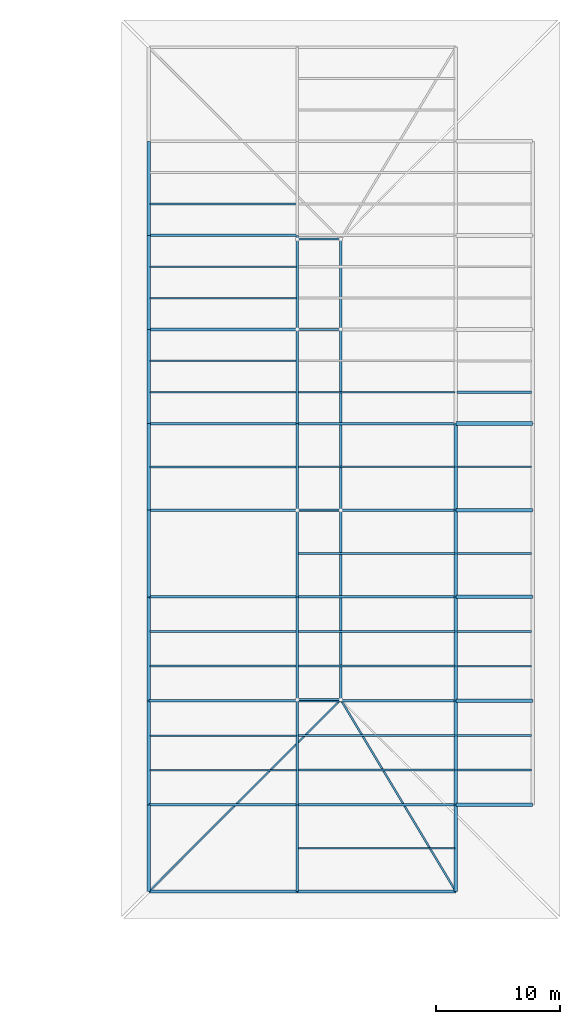
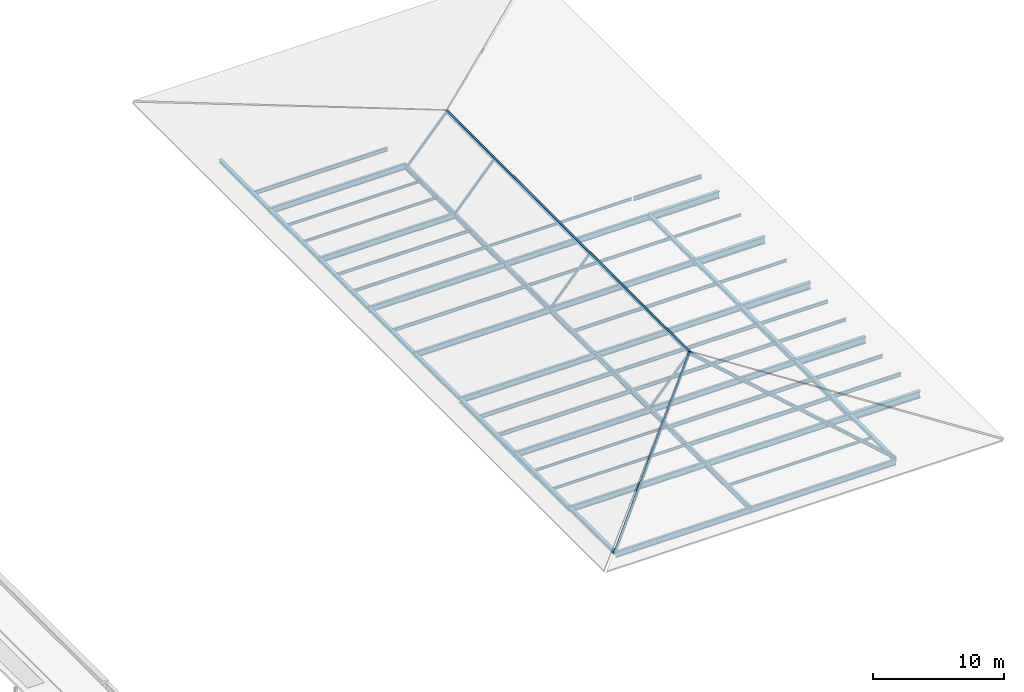
# One storey, part 10 of 14: 64 beams, 7 members.
"""IFC4 building model written with IfcOpenShell, lengths in metres."""

from ifc_helpers import new_model, si_unit, direction, frame, origin, origin_2d, place, context, subcontext, project, spatial, hollow_rectangle, i_section, extrude, material, material_profile, profile_set, type_object, element, save


model = new_model("IFC4")

# Units and contexts
model_context = context("Model", 3, precision=1e-05, world=origin(), true_north=direction((0.0, 1.0)))
body_context = subcontext(model_context, "Body", "Model", "MODEL_VIEW")
ifc_project = project(units=[si_unit("LENGTHUNIT", "METRE"), si_unit("AREAUNIT", "SQUARE_METRE"), si_unit("VOLUMEUNIT", "CUBIC_METRE"), si_unit("PLANEANGLEUNIT", "RADIAN"), si_unit("MASSUNIT", "GRAM", prefix="KILO")], contexts=[model_context])

# Site, building, storey
site_placement = place(None, origin())
site = spatial("IfcSite", under=ifc_project, at=site_placement, CompositionType="ELEMENT")
building_placement = place(site_placement, origin())
building = spatial("IfcBuilding", under=site, at=building_placement, Name="Vekula Escarpment Museum", CompositionType="ELEMENT")
storey_placement = place(building_placement, frame((0.0, 0.0, 30.60009765625)))
storey = spatial("IfcBuildingStorey", under=building, at=storey_placement, Name="RF", CompositionType="ELEMENT", Elevation=30.60009765625)

# Beams
ifc_material_1 = material(Name="Steel S355", Category="steel")
ifc_material_profile_1 = material_profile(ifc_material_1, i_section(OverallWidth=0.300048828125, OverallDepth=0.64990234375, WebThickness=0.01611328125, FlangeThickness=0.031005859375, FilletRadius=0.027099609375, at=origin_2d()), Name="HEB 650")
ifc_profile_set_1 = profile_set([ifc_material_profile_1], Name="Steel S355")
beam_type_1 = type_object("IfcBeamType", Name="BM-GIRD-HEB650", PredefinedType="BEAM", material=ifc_profile_set_1)
for number, where, z_axis, x_axis, name in (
    (1, (191.800048828125, 59.60009765625, -0.525146484375), (1.0, 0.0, 0.0), (0.0, 1.0, 0.0), "Beam X RF 2305"),
    (2, (191.800048828125, 68.0, -0.525146484375), (1.0, 0.0, 0.0), (0.0, 1.0, 0.0), "Beam X RF 2308"),
    (3, (191.800048828125, 76.39990234375, -0.525146484375), (1.0, 0.0, 0.0), (0.0, 1.0, 0.0), "Beam X RF 2311"),
    (4, (191.800048828125, 83.39990234375, -0.525146484375), (1.0, 0.0, 0.0), (0.0, 1.0, 0.0), "Beam X RF 2314"),
    (5, (191.800048828125, 90.39990234375, -0.525146484375), (1.0, 0.0, 0.0), (0.0, 1.0, 0.0), "Beam X RF 2317"),
):
    element("IfcBeam", number, at=place(storey_placement, frame(where, z_axis=z_axis, x_axis=x_axis)), inside=storey, type_object=beam_type_1, Name=name, PredefinedType="BEAM", context=body_context, shape_type="SweptSolid", body=[
        extrude(i_section(OverallWidth=0.300048828125, OverallDepth=0.64990234375, WebThickness=0.01611328125, FlangeThickness=0.031005859375, FilletRadius=0.027099609375, at=origin_2d()), origin(), (0.0, 0.0, 1.0), 6.199951171875),
    ])
ifc_material_2 = material(Name="Steel S355", Category="steel")
ifc_material_profile_2 = material_profile(ifc_material_2, i_section(OverallWidth=0.199951171875, OverallDepth=0.5, WebThickness=0.01025390625, FlangeThickness=0.01611328125, FilletRadius=0.02099609375, at=origin_2d()), Name="IPE 500")
ifc_profile_set_2 = profile_set([ifc_material_profile_2], Name="Steel S355")
beam_type_2 = type_object("IfcBeamType", Name="BM-GIRD-IPE500", PredefinedType="BEAM", material=ifc_profile_set_2)
beam_1_placement = place(storey_placement, frame((179.0, 52.60009765625, -0.4501953125), z_axis=(0.0, 1.0, 0.0), x_axis=(-1.0, 0.0, 0.0)))
element("IfcBeam", 6, at=beam_1_placement, inside=storey, type_object=beam_type_2, Name="Beam Y RF 2338", PredefinedType="BEAM", context=body_context, shape_type="SweptSolid", body=[
    extrude(i_section(OverallWidth=0.199951171875, OverallDepth=0.5, WebThickness=0.01025390625, FlangeThickness=0.01611328125, FilletRadius=0.02099609375, at=origin_2d()), origin(), (0.0, 0.0, 1.0), 7.0),
])
for number, where, z_axis, x_axis, name in (
    (7, (179.0, 59.60009765625, -0.4501953125), (0.0, 1.0, 0.0), (-1.0, 0.0, 0.0), "Beam Y RF 2339"),
    (8, (179.0, 68.0, -0.4501953125), (0.0, 1.0, 0.0), (-1.0, 0.0, 0.0), "Beam Y RF 2340"),
):
    element("IfcBeam", number, at=place(storey_placement, frame(where, z_axis=z_axis, x_axis=x_axis)), inside=storey, type_object=beam_type_2, Name=name, PredefinedType="BEAM", context=body_context, shape_type="SweptSolid", body=[
        extrude(i_section(OverallWidth=0.199951171875, OverallDepth=0.5, WebThickness=0.01025390625, FlangeThickness=0.01611328125, FilletRadius=0.02099609375, at=origin_2d()), origin(), (0.0, 0.0, 1.0), 8.39990234375),
    ])
for number, where, z_axis, x_axis, name in (
    (9, (179.0, 76.39990234375, -0.4501953125), (0.0, 1.0, 0.0), (-1.0, 0.0, 0.0), "Beam Y RF 2341"),
    (10, (179.0, 83.39990234375, -0.4501953125), (0.0, 1.0, 0.0), (-1.0, 0.0, 0.0), "Beam Y RF 2342"),
):
    element("IfcBeam", number, at=place(storey_placement, frame(where, z_axis=z_axis, x_axis=x_axis)), inside=storey, type_object=beam_type_2, Name=name, PredefinedType="BEAM", context=body_context, shape_type="SweptSolid", body=[
        extrude(i_section(OverallWidth=0.199951171875, OverallDepth=0.5, WebThickness=0.01025390625, FlangeThickness=0.01611328125, FilletRadius=0.02099609375, at=origin_2d()), origin(), (0.0, 0.0, 1.0), 7.0),
    ])
for number, where, z_axis, x_axis, name in (
    (11, (179.0, 90.39990234375, -0.4501953125), (0.0, 1.0, 0.0), (-1.0, 0.0, 0.0), "Beam Y RF 2343"),
    (12, (179.0, 98.0, -0.4501953125), (0.0, 1.0, 0.0), (-1.0, 0.0, 0.0), "Beam Y RF 2344"),
):
    element("IfcBeam", number, at=place(storey_placement, frame(where, z_axis=z_axis, x_axis=x_axis)), inside=storey, type_object=beam_type_2, Name=name, PredefinedType="BEAM", context=body_context, shape_type="SweptSolid", body=[
        extrude(i_section(OverallWidth=0.199951171875, OverallDepth=0.5, WebThickness=0.01025390625, FlangeThickness=0.01611328125, FilletRadius=0.02099609375, at=origin_2d()), origin(), (0.0, 0.0, 1.0), 7.60009765625),
    ])
ifc_material_3 = material(Name="Steel S355", Category="steel")
ifc_material_profile_3 = material_profile(ifc_material_3, i_section(OverallWidth=0.2099609375, OverallDepth=0.550048828125, WebThickness=0.010986328125, FlangeThickness=0.01708984375, FilletRadius=0.02392578125, at=origin_2d()), Name="IPE 550")
ifc_profile_set_3 = profile_set([ifc_material_profile_3], Name="Steel S355")
beam_type_3 = type_object("IfcBeamType", Name="BM-GIRD-IPE550", PredefinedType="BEAM", material=ifc_profile_set_3)
beam_2_placement = place(storey_placement, frame((167.0, 52.60009765625, -0.47509765625), z_axis=(1.0, 0.0, 0.0), x_axis=(0.0, 1.0, 0.0)))
element("IfcBeam", 13, at=beam_2_placement, inside=storey, type_object=beam_type_3, Name="Beam X RF 2301", PredefinedType="BEAM", context=body_context, shape_type="SweptSolid", body=[
    extrude(i_section(OverallWidth=0.2099609375, OverallDepth=0.550048828125, WebThickness=0.010986328125, FlangeThickness=0.01708984375, FilletRadius=0.02392578125, at=origin_2d()), origin(), (0.0, 0.0, 1.0), 12.0),
])
beam_3_placement = place(storey_placement, frame((179.0, 52.60009765625, -0.47509765625), z_axis=(1.0, 0.0, 0.0), x_axis=(0.0, 1.0, 0.0)))
element("IfcBeam", 14, at=beam_3_placement, inside=storey, type_object=beam_type_3, Name="Beam X RF 2302", PredefinedType="BEAM", context=body_context, shape_type="SweptSolid", body=[
    extrude(i_section(OverallWidth=0.2099609375, OverallDepth=0.550048828125, WebThickness=0.010986328125, FlangeThickness=0.01708984375, FilletRadius=0.02392578125, at=origin_2d()), origin(), (0.0, 0.0, 1.0), 12.800048828125),
])
beam_4_placement = place(storey_placement, frame((167.0, 59.60009765625, -0.47509765625), z_axis=(1.0, 0.0, 0.0), x_axis=(0.0, 1.0, 0.0)))
element("IfcBeam", 15, at=beam_4_placement, inside=storey, type_object=beam_type_3, Name="Beam X RF 2303", PredefinedType="BEAM", context=body_context, shape_type="SweptSolid", body=[
    extrude(i_section(OverallWidth=0.2099609375, OverallDepth=0.550048828125, WebThickness=0.010986328125, FlangeThickness=0.01708984375, FilletRadius=0.02392578125, at=origin_2d()), origin(), (0.0, 0.0, 1.0), 12.0),
])
beam_5_placement = place(storey_placement, frame((179.0, 59.60009765625, -0.47509765625), z_axis=(1.0, 0.0, 0.0), x_axis=(0.0, 1.0, 0.0)))
element("IfcBeam", 16, at=beam_5_placement, inside=storey, type_object=beam_type_3, Name="Beam X RF 2304", PredefinedType="BEAM", context=body_context, shape_type="SweptSolid", body=[
    extrude(i_section(OverallWidth=0.2099609375, OverallDepth=0.550048828125, WebThickness=0.010986328125, FlangeThickness=0.01708984375, FilletRadius=0.02392578125, at=origin_2d()), origin(), (0.0, 0.0, 1.0), 12.800048828125),
])
beam_6_placement = place(storey_placement, frame((167.0, 68.0, -0.47509765625), z_axis=(1.0, 0.0, 0.0), x_axis=(0.0, 1.0, 0.0)))
element("IfcBeam", 17, at=beam_6_placement, inside=storey, type_object=beam_type_3, Name="Beam X RF 2306", PredefinedType="BEAM", context=body_context, shape_type="SweptSolid", body=[
    extrude(i_section(OverallWidth=0.2099609375, OverallDepth=0.550048828125, WebThickness=0.010986328125, FlangeThickness=0.01708984375, FilletRadius=0.02392578125, at=origin_2d()), origin(), (0.0, 0.0, 1.0), 12.0),
])
beam_7_placement = place(storey_placement, frame((179.0, 68.0, -0.47509765625), z_axis=(1.0, 0.0, 0.0), x_axis=(0.0, 1.0, 0.0)))
element("IfcBeam", 18, at=beam_7_placement, inside=storey, type_object=beam_type_3, Name="Beam X RF 2307", PredefinedType="BEAM", context=body_context, shape_type="SweptSolid", body=[
    extrude(i_section(OverallWidth=0.2099609375, OverallDepth=0.550048828125, WebThickness=0.010986328125, FlangeThickness=0.01708984375, FilletRadius=0.02392578125, at=origin_2d()), origin(), (0.0, 0.0, 1.0), 12.800048828125),
])
beam_8_placement = place(storey_placement, frame((167.0, 76.39990234375, -0.47509765625), z_axis=(1.0, 0.0, 0.0), x_axis=(0.0, 1.0, 0.0)))
element("IfcBeam", 19, at=beam_8_placement, inside=storey, type_object=beam_type_3, Name="Beam X RF 2309", PredefinedType="BEAM", context=body_context, shape_type="SweptSolid", body=[
    extrude(i_section(OverallWidth=0.2099609375, OverallDepth=0.550048828125, WebThickness=0.010986328125, FlangeThickness=0.01708984375, FilletRadius=0.02392578125, at=origin_2d()), origin(), (0.0, 0.0, 1.0), 12.0),
])
beam_9_placement = place(storey_placement, frame((179.0, 76.39990234375, -0.47509765625), z_axis=(1.0, 0.0, 0.0), x_axis=(0.0, 1.0, 0.0)))
element("IfcBeam", 20, at=beam_9_placement, inside=storey, type_object=beam_type_3, Name="Beam X RF 2310", PredefinedType="BEAM", context=body_context, shape_type="SweptSolid", body=[
    extrude(i_section(OverallWidth=0.2099609375, OverallDepth=0.550048828125, WebThickness=0.010986328125, FlangeThickness=0.01708984375, FilletRadius=0.02392578125, at=origin_2d()), origin(), (0.0, 0.0, 1.0), 12.800048828125),
])
beam_10_placement = place(storey_placement, frame((167.0, 83.39990234375, -0.47509765625), z_axis=(1.0, 0.0, 0.0), x_axis=(0.0, 1.0, 0.0)))
element("IfcBeam", 21, at=beam_10_placement, inside=storey, type_object=beam_type_3, Name="Beam X RF 2312", PredefinedType="BEAM", context=body_context, shape_type="SweptSolid", body=[
    extrude(i_section(OverallWidth=0.2099609375, OverallDepth=0.550048828125, WebThickness=0.010986328125, FlangeThickness=0.01708984375, FilletRadius=0.02392578125, at=origin_2d()), origin(), (0.0, 0.0, 1.0), 12.0),
])
beam_11_placement = place(storey_placement, frame((179.0, 83.39990234375, -0.47509765625), z_axis=(1.0, 0.0, 0.0), x_axis=(0.0, 1.0, 0.0)))
element("IfcBeam", 22, at=beam_11_placement, inside=storey, type_object=beam_type_3, Name="Beam X RF 2313", PredefinedType="BEAM", context=body_context, shape_type="SweptSolid", body=[
    extrude(i_section(OverallWidth=0.2099609375, OverallDepth=0.550048828125, WebThickness=0.010986328125, FlangeThickness=0.01708984375, FilletRadius=0.02392578125, at=origin_2d()), origin(), (0.0, 0.0, 1.0), 12.800048828125),
])
beam_12_placement = place(storey_placement, frame((167.0, 90.39990234375, -0.47509765625), z_axis=(1.0, 0.0, 0.0), x_axis=(0.0, 1.0, 0.0)))
element("IfcBeam", 23, at=beam_12_placement, inside=storey, type_object=beam_type_3, Name="Beam X RF 2315", PredefinedType="BEAM", context=body_context, shape_type="SweptSolid", body=[
    extrude(i_section(OverallWidth=0.2099609375, OverallDepth=0.550048828125, WebThickness=0.010986328125, FlangeThickness=0.01708984375, FilletRadius=0.02392578125, at=origin_2d()), origin(), (0.0, 0.0, 1.0), 12.0),
])
beam_13_placement = place(storey_placement, frame((179.0, 90.39990234375, -0.47509765625), z_axis=(1.0, 0.0, 0.0), x_axis=(0.0, 1.0, 0.0)))
element("IfcBeam", 24, at=beam_13_placement, inside=storey, type_object=beam_type_3, Name="Beam X RF 2316", PredefinedType="BEAM", context=body_context, shape_type="SweptSolid", body=[
    extrude(i_section(OverallWidth=0.2099609375, OverallDepth=0.550048828125, WebThickness=0.010986328125, FlangeThickness=0.01708984375, FilletRadius=0.02392578125, at=origin_2d()), origin(), (0.0, 0.0, 1.0), 12.800048828125),
])
for number, where, z_axis, x_axis, name in (
    (25, (167.0, 98.0, -0.47509765625), (1.0, 0.0, 0.0), (0.0, 1.0, 0.0), "Beam X RF 2318"),
    (26, (167.0, 105.60009765625, -0.47509765625), (1.0, 0.0, 0.0), (0.0, 1.0, 0.0), "Beam X RF 2321"),
):
    element("IfcBeam", number, at=place(storey_placement, frame(where, z_axis=z_axis, x_axis=x_axis)), inside=storey, type_object=beam_type_3, Name=name, PredefinedType="BEAM", context=body_context, shape_type="SweptSolid", body=[
        extrude(i_section(OverallWidth=0.2099609375, OverallDepth=0.550048828125, WebThickness=0.010986328125, FlangeThickness=0.01708984375, FilletRadius=0.02392578125, at=origin_2d()), origin(), (0.0, 0.0, 1.0), 12.0),
    ])
ifc_material_4 = material(Name="Steel S355", Category="steel")
ifc_material_profile_4 = material_profile(ifc_material_4, i_section(OverallWidth=0.1201171875, OverallDepth=0.239990234375, WebThickness=0.006103515625, FlangeThickness=0.009765625, FilletRadius=0.014892578125, at=origin_2d()), Name="IPE 240")
ifc_profile_set_4 = profile_set([ifc_material_profile_4], Name="Steel S355")
beam_type_4 = type_object("IfcBeamType", Name="BM-JST-IPE240", PredefinedType="JOIST", material=ifc_profile_set_4)
for number, where, z_axis, x_axis, name in (
    (27, (167.090087890625, 62.39990234375, -0.320068359375), (1.0, 0.0, 0.0), (0.0, 1.0, 0.0), "Secondary Joist RF 1490"),
    (28, (167.090087890625, 65.199951171875, -0.320068359375), (1.0, 0.0, 0.0), (0.0, 1.0, 0.0), "Secondary Joist RF 1491"),
    (29, (167.090087890625, 100.533203125, -0.320068359375), (1.0, 0.0, 0.0), (0.0, 1.0, 0.0), "Secondary Joist RF 1497"),
    (30, (167.090087890625, 103.066650390625, -0.320068359375), (1.0, 0.0, 0.0), (0.0, 1.0, 0.0), "Secondary Joist RF 1498"),
):
    element("IfcBeam", number, at=place(storey_placement, frame(where, z_axis=z_axis, x_axis=x_axis)), inside=storey, type_object=beam_type_4, Name=name, PredefinedType="JOIST", context=body_context, shape_type="SweptSolid", body=[
        extrude(i_section(OverallWidth=0.1201171875, OverallDepth=0.239990234375, WebThickness=0.006103515625, FlangeThickness=0.009765625, FilletRadius=0.014892578125, at=origin_2d()), origin(), (0.0, 0.0, 1.0), 11.81982421875),
    ])
for number, where, z_axis, x_axis, name in (
    (31, (179.090087890625, 56.10009765625, -0.320068359375), (1.0, 0.0, 0.0), (0.0, 1.0, 0.0), "Secondary Joist RF 1501"),
    (32, (179.090087890625, 92.933349609375, -0.320068359375), (1.0, 0.0, 0.0), (0.0, 1.0, 0.0), "Secondary Joist RF 1508"),
):
    element("IfcBeam", number, at=place(storey_placement, frame(where, z_axis=z_axis, x_axis=x_axis)), inside=storey, type_object=beam_type_4, Name=name, PredefinedType="JOIST", context=body_context, shape_type="SweptSolid", body=[
        extrude(i_section(OverallWidth=0.1201171875, OverallDepth=0.239990234375, WebThickness=0.006103515625, FlangeThickness=0.009765625, FilletRadius=0.014892578125, at=origin_2d()), origin(), (0.0, 0.0, 1.0), 12.619873046875),
    ])
beam_14_placement = place(storey_placement, frame((191.889892578125, 86.89990234375, -0.320068359375), z_axis=(1.0, 0.0, 0.0), x_axis=(0.0, 1.0, 0.0)))
element("IfcBeam", 33, at=beam_14_placement, inside=storey, type_object=beam_type_4, Name="Secondary Joist RF 1521", PredefinedType="JOIST", context=body_context, shape_type="SweptSolid", body=[
    extrude(i_section(OverallWidth=0.1201171875, OverallDepth=0.239990234375, WebThickness=0.006103515625, FlangeThickness=0.009765625, FilletRadius=0.014892578125, at=origin_2d()), origin(), (0.0, 0.0, 1.0), 6.02001953125),
])
ifc_material_5 = material(Name="Steel S355", Category="steel")
ifc_material_profile_5 = material_profile(ifc_material_5, i_section(OverallWidth=0.135009765625, OverallDepth=0.27001953125, WebThickness=0.006591796875, FlangeThickness=0.01025390625, FilletRadius=0.014892578125, at=origin_2d()), Name="IPE 270")
ifc_profile_set_5 = profile_set([ifc_material_profile_5], Name="Steel S355")
beam_type_5 = type_object("IfcBeamType", Name="BM-JST-IPE270", PredefinedType="JOIST", material=ifc_profile_set_5)
for number, where, z_axis, x_axis, name in (
    (34, (167.090087890625, 92.933349609375, -0.335205078125), (1.0, 0.0, 0.0), (0.0, 1.0, 0.0), "Secondary Joist RF 1495"),
    (35, (167.090087890625, 95.466796875, -0.335205078125), (1.0, 0.0, 0.0), (0.0, 1.0, 0.0), "Secondary Joist RF 1496"),
):
    element("IfcBeam", number, at=place(storey_placement, frame(where, z_axis=z_axis, x_axis=x_axis)), inside=storey, type_object=beam_type_5, Name=name, PredefinedType="JOIST", context=body_context, shape_type="SweptSolid", body=[
        extrude(i_section(OverallWidth=0.135009765625, OverallDepth=0.27001953125, WebThickness=0.006591796875, FlangeThickness=0.01025390625, FilletRadius=0.014892578125, at=origin_2d()), origin(), (0.0, 0.0, 1.0), 11.81982421875),
    ])
beam_15_placement = place(storey_placement, frame((179.090087890625, 86.89990234375, -0.335205078125), z_axis=(1.0, 0.0, 0.0), x_axis=(0.0, 1.0, 0.0)))
element("IfcBeam", 36, at=beam_15_placement, inside=storey, type_object=beam_type_5, Name="Secondary Joist RF 1507", PredefinedType="JOIST", context=body_context, shape_type="SweptSolid", body=[
    extrude(i_section(OverallWidth=0.135009765625, OverallDepth=0.27001953125, WebThickness=0.006591796875, FlangeThickness=0.01025390625, FilletRadius=0.014892578125, at=origin_2d()), origin(), (0.0, 0.0, 1.0), 12.619873046875),
])
beam_16_placement = place(storey_placement, frame((191.889892578125, 79.89990234375, -0.335205078125), z_axis=(1.0, 0.0, 0.0), x_axis=(0.0, 1.0, 0.0)))
element("IfcBeam", 37, at=beam_16_placement, inside=storey, type_object=beam_type_5, Name="Secondary Joist RF 1520", PredefinedType="JOIST", context=body_context, shape_type="SweptSolid", body=[
    extrude(i_section(OverallWidth=0.135009765625, OverallDepth=0.27001953125, WebThickness=0.006591796875, FlangeThickness=0.01025390625, FilletRadius=0.014892578125, at=origin_2d()), origin(), (0.0, 0.0, 1.0), 6.02001953125),
])
ifc_material_6 = material(Name="Steel S355", Category="steel")
ifc_material_profile_6 = material_profile(ifc_material_6, i_section(OverallWidth=0.14990234375, OverallDepth=0.300048828125, WebThickness=0.007080078125, FlangeThickness=0.0107421875, FilletRadius=0.014892578125, at=origin_2d()), Name="IPE 300")
ifc_profile_set_6 = profile_set([ifc_material_profile_6], Name="Steel S355")
beam_type_6 = type_object("IfcBeamType", Name="BM-JST-IPE300", PredefinedType="JOIST", material=ifc_profile_set_6)
beam_17_placement = place(storey_placement, frame((167.090087890625, 86.89990234375, -0.35009765625), z_axis=(1.0, 0.0, 0.0), x_axis=(0.0, 1.0, 0.0)))
element("IfcBeam", 38, at=beam_17_placement, inside=storey, type_object=beam_type_6, Name="Secondary Joist RF 1494", PredefinedType="JOIST", context=body_context, shape_type="SweptSolid", body=[
    extrude(i_section(OverallWidth=0.14990234375, OverallDepth=0.300048828125, WebThickness=0.007080078125, FlangeThickness=0.0107421875, FilletRadius=0.014892578125, at=origin_2d()), origin(), (0.0, 0.0, 1.0), 11.81982421875),
])
beam_18_placement = place(storey_placement, frame((179.090087890625, 79.89990234375, -0.35009765625), z_axis=(1.0, 0.0, 0.0), x_axis=(0.0, 1.0, 0.0)))
element("IfcBeam", 39, at=beam_18_placement, inside=storey, type_object=beam_type_6, Name="Secondary Joist RF 1506", PredefinedType="JOIST", context=body_context, shape_type="SweptSolid", body=[
    extrude(i_section(OverallWidth=0.14990234375, OverallDepth=0.300048828125, WebThickness=0.007080078125, FlangeThickness=0.0107421875, FilletRadius=0.014892578125, at=origin_2d()), origin(), (0.0, 0.0, 1.0), 12.619873046875),
])
for number, where, z_axis, x_axis, name in (
    (40, (191.889892578125, 70.800048828125, -0.35009765625), (1.0, 0.0, 0.0), (0.0, 1.0, 0.0), "Secondary Joist RF 1518"),
    (41, (191.889892578125, 73.60009765625, -0.35009765625), (1.0, 0.0, 0.0), (0.0, 1.0, 0.0), "Secondary Joist RF 1519"),
):
    element("IfcBeam", number, at=place(storey_placement, frame(where, z_axis=z_axis, x_axis=x_axis)), inside=storey, type_object=beam_type_6, Name=name, PredefinedType="JOIST", context=body_context, shape_type="SweptSolid", body=[
        extrude(i_section(OverallWidth=0.14990234375, OverallDepth=0.300048828125, WebThickness=0.007080078125, FlangeThickness=0.0107421875, FilletRadius=0.014892578125, at=origin_2d()), origin(), (0.0, 0.0, 1.0), 6.02001953125),
    ])
ifc_material_7 = material(Name="Steel S355", Category="steel")
ifc_material_profile_7 = material_profile(ifc_material_7, i_section(OverallWidth=0.159912109375, OverallDepth=0.330078125, WebThickness=0.007568359375, FlangeThickness=0.011474609375, FilletRadius=0.01806640625, at=origin_2d()), Name="IPE 330")
ifc_profile_set_7 = profile_set([ifc_material_profile_7], Name="Steel S355")
beam_type_7 = type_object("IfcBeamType", Name="BM-JST-IPE330", PredefinedType="JOIST", material=ifc_profile_set_7)
for number, where, z_axis, x_axis, name in (
    (42, (179.090087890625, 70.800048828125, -0.364990234375), (1.0, 0.0, 0.0), (0.0, 1.0, 0.0), "Secondary Joist RF 1504"),
    (43, (179.090087890625, 73.60009765625, -0.364990234375), (1.0, 0.0, 0.0), (0.0, 1.0, 0.0), "Secondary Joist RF 1505"),
):
    element("IfcBeam", number, at=place(storey_placement, frame(where, z_axis=z_axis, x_axis=x_axis)), inside=storey, type_object=beam_type_7, Name=name, PredefinedType="JOIST", context=body_context, shape_type="SweptSolid", body=[
        extrude(i_section(OverallWidth=0.159912109375, OverallDepth=0.330078125, WebThickness=0.007568359375, FlangeThickness=0.011474609375, FilletRadius=0.01806640625, at=origin_2d()), origin(), (0.0, 0.0, 1.0), 12.619873046875),
    ])
for number, where, z_axis, x_axis, name in (
    (44, (191.889892578125, 62.39990234375, -0.364990234375), (1.0, 0.0, 0.0), (0.0, 1.0, 0.0), "Secondary Joist RF 1516"),
    (45, (191.889892578125, 65.199951171875, -0.364990234375), (1.0, 0.0, 0.0), (0.0, 1.0, 0.0), "Secondary Joist RF 1517"),
):
    element("IfcBeam", number, at=place(storey_placement, frame(where, z_axis=z_axis, x_axis=x_axis)), inside=storey, type_object=beam_type_7, Name=name, PredefinedType="JOIST", context=body_context, shape_type="SweptSolid", body=[
        extrude(i_section(OverallWidth=0.159912109375, OverallDepth=0.330078125, WebThickness=0.007568359375, FlangeThickness=0.011474609375, FilletRadius=0.01806640625, at=origin_2d()), origin(), (0.0, 0.0, 1.0), 6.02001953125),
    ])
ifc_material_8 = material(Name="Steel S355", Category="steel")
ifc_material_profile_8 = material_profile(ifc_material_8, i_section(OverallWidth=0.169921875, OverallDepth=0.360107421875, WebThickness=0.008056640625, FlangeThickness=0.0126953125, FilletRadius=0.01806640625, at=origin_2d()), Name="IPE 360")
ifc_profile_set_8 = profile_set([ifc_material_profile_8], Name="Steel S355")
beam_type_8 = type_object("IfcBeamType", Name="BM-JST-IPE360", PredefinedType="JOIST", material=ifc_profile_set_8)
for number, where, z_axis, x_axis, name in (
    (46, (167.090087890625, 70.800048828125, -0.380126953125), (1.0, 0.0, 0.0), (0.0, 1.0, 0.0), "Secondary Joist RF 1492"),
    (47, (167.090087890625, 73.60009765625, -0.380126953125), (1.0, 0.0, 0.0), (0.0, 1.0, 0.0), "Secondary Joist RF 1493"),
    (48, (167.090087890625, 108.13330078125, -0.380126953125), (1.0, 0.0, 0.0), (0.0, 1.0, 0.0), "Secondary Joist RF 1499"),
):
    element("IfcBeam", number, at=place(storey_placement, frame(where, z_axis=z_axis, x_axis=x_axis)), inside=storey, type_object=beam_type_8, Name=name, PredefinedType="JOIST", context=body_context, shape_type="SweptSolid", body=[
        extrude(i_section(OverallWidth=0.169921875, OverallDepth=0.360107421875, WebThickness=0.008056640625, FlangeThickness=0.0126953125, FilletRadius=0.01806640625, at=origin_2d()), origin(), (0.0, 0.0, 1.0), 11.81982421875),
    ])
for number, where, z_axis, x_axis, name in (
    (49, (179.090087890625, 62.39990234375, -0.380126953125), (1.0, 0.0, 0.0), (0.0, 1.0, 0.0), "Secondary Joist RF 1502"),
    (50, (179.090087890625, 65.199951171875, -0.380126953125), (1.0, 0.0, 0.0), (0.0, 1.0, 0.0), "Secondary Joist RF 1503"),
):
    element("IfcBeam", number, at=place(storey_placement, frame(where, z_axis=z_axis, x_axis=x_axis)), inside=storey, type_object=beam_type_8, Name=name, PredefinedType="JOIST", context=body_context, shape_type="SweptSolid", body=[
        extrude(i_section(OverallWidth=0.169921875, OverallDepth=0.360107421875, WebThickness=0.008056640625, FlangeThickness=0.0126953125, FilletRadius=0.01806640625, at=origin_2d()), origin(), (0.0, 0.0, 1.0), 12.619873046875),
    ])
beam_19_placement = place(storey_placement, frame((191.889892578125, 92.933349609375, -0.380126953125), z_axis=(1.0, 0.0, 0.0), x_axis=(0.0, 1.0, 0.0)))
element("IfcBeam", 51, at=beam_19_placement, inside=storey, type_object=beam_type_8, Name="Secondary Joist RF 1522", PredefinedType="JOIST", context=body_context, shape_type="SweptSolid", body=[
    extrude(i_section(OverallWidth=0.169921875, OverallDepth=0.360107421875, WebThickness=0.008056640625, FlangeThickness=0.0126953125, FilletRadius=0.01806640625, at=origin_2d()), origin(), (0.0, 0.0, 1.0), 6.02001953125),
])
ifc_material_9 = material(Name="Steel S355", Category="steel")
ifc_material_profile_9 = material_profile(ifc_material_9, i_section(OverallWidth=0.300048828125, OverallDepth=0.2900390625, WebThickness=0.008544921875, FlangeThickness=0.013916015625, FilletRadius=0.027099609375, at=origin_2d()), Name="HEA 300")
ifc_profile_set_9 = profile_set([ifc_material_profile_9], Name="Steel S355")
beam_type_9 = type_object("IfcBeamType", Name="BM-SPAN-HEA300", PredefinedType="SPANDREL", material=ifc_profile_set_9)
for number, where, z_axis, x_axis, name in (
    (52, (167.0, 52.60009765625, -0.34521484375), (0.0, 1.0, 0.0), (-1.0, 0.0, 0.0), "Beam Y RF 2329"),
    (53, (167.0, 76.39990234375, -0.34521484375), (0.0, 1.0, 0.0), (-1.0, 0.0, 0.0), "Beam Y RF 2332"),
    (54, (167.0, 83.39990234375, -0.34521484375), (0.0, 1.0, 0.0), (-1.0, 0.0, 0.0), "Beam Y RF 2333"),
):
    element("IfcBeam", number, at=place(storey_placement, frame(where, z_axis=z_axis, x_axis=x_axis)), inside=storey, type_object=beam_type_9, Name=name, PredefinedType="SPANDREL", context=body_context, shape_type="SweptSolid", body=[
        extrude(i_section(OverallWidth=0.300048828125, OverallDepth=0.2900390625, WebThickness=0.008544921875, FlangeThickness=0.013916015625, FilletRadius=0.027099609375, at=origin_2d()), origin(), (0.0, 0.0, 1.0), 7.0),
    ])
for number, where, z_axis, x_axis, name in (
    (55, (167.0, 90.39990234375, -0.34521484375), (0.0, 1.0, 0.0), (-1.0, 0.0, 0.0), "Beam Y RF 2334"),
    (56, (167.0, 98.0, -0.34521484375), (0.0, 1.0, 0.0), (-1.0, 0.0, 0.0), "Beam Y RF 2335"),
):
    element("IfcBeam", number, at=place(storey_placement, frame(where, z_axis=z_axis, x_axis=x_axis)), inside=storey, type_object=beam_type_9, Name=name, PredefinedType="SPANDREL", context=body_context, shape_type="SweptSolid", body=[
        extrude(i_section(OverallWidth=0.300048828125, OverallDepth=0.2900390625, WebThickness=0.008544921875, FlangeThickness=0.013916015625, FilletRadius=0.027099609375, at=origin_2d()), origin(), (0.0, 0.0, 1.0), 7.60009765625),
    ])
beam_20_placement = place(storey_placement, frame((167.0, 105.60009765625, -0.34521484375), z_axis=(0.0, 1.0, 0.0), x_axis=(-1.0, 0.0, 0.0)))
element("IfcBeam", 57, at=beam_20_placement, inside=storey, type_object=beam_type_9, Name="Beam Y RF 2336", PredefinedType="SPANDREL", context=body_context, shape_type="SweptSolid", body=[
    extrude(i_section(OverallWidth=0.300048828125, OverallDepth=0.2900390625, WebThickness=0.008544921875, FlangeThickness=0.013916015625, FilletRadius=0.027099609375, at=origin_2d()), origin(), (0.0, 0.0, 1.0), 7.599853515625),
])
for number, where, z_axis, x_axis, name in (
    (58, (191.800048828125, 52.60009765625, -0.34521484375), (0.0, 1.0, 0.0), (-1.0, 0.0, 0.0), "Beam Y RF 2347"),
    (59, (191.800048828125, 76.39990234375, -0.34521484375), (0.0, 1.0, 0.0), (-1.0, 0.0, 0.0), "Beam Y RF 2350"),
    (60, (191.800048828125, 83.39990234375, -0.34521484375), (0.0, 1.0, 0.0), (-1.0, 0.0, 0.0), "Beam Y RF 2351"),
):
    element("IfcBeam", number, at=place(storey_placement, frame(where, z_axis=z_axis, x_axis=x_axis)), inside=storey, type_object=beam_type_9, Name=name, PredefinedType="SPANDREL", context=body_context, shape_type="SweptSolid", body=[
        extrude(i_section(OverallWidth=0.300048828125, OverallDepth=0.2900390625, WebThickness=0.008544921875, FlangeThickness=0.013916015625, FilletRadius=0.027099609375, at=origin_2d()), origin(), (0.0, 0.0, 1.0), 7.0),
    ])
ifc_material_10 = material(Name="Steel S355", Category="steel")
ifc_material_profile_10 = material_profile(ifc_material_10, i_section(OverallWidth=0.300048828125, OverallDepth=0.43994140625, WebThickness=0.011474609375, FlangeThickness=0.02099609375, FilletRadius=0.027099609375, at=origin_2d()), Name="HEA 450")
ifc_profile_set_10 = profile_set([ifc_material_profile_10], Name="Steel S355")
beam_type_10 = type_object("IfcBeamType", Name="BM-SPAN-HEA450", PredefinedType="SPANDREL", material=ifc_profile_set_10)
for number, where, z_axis, x_axis, name in (
    (61, (167.0, 59.60009765625, -0.420166015625), (0.0, 1.0, 0.0), (-1.0, 0.0, 0.0), "Beam Y RF 2330"),
    (62, (167.0, 68.0, -0.420166015625), (0.0, 1.0, 0.0), (-1.0, 0.0, 0.0), "Beam Y RF 2331"),
    (63, (191.800048828125, 59.60009765625, -0.420166015625), (0.0, 1.0, 0.0), (-1.0, 0.0, 0.0), "Beam Y RF 2348"),
    (64, (191.800048828125, 68.0, -0.420166015625), (0.0, 1.0, 0.0), (-1.0, 0.0, 0.0), "Beam Y RF 2349"),
):
    element("IfcBeam", number, at=place(storey_placement, frame(where, z_axis=z_axis, x_axis=x_axis)), inside=storey, type_object=beam_type_10, Name=name, PredefinedType="SPANDREL", context=body_context, shape_type="SweptSolid", body=[
        extrude(i_section(OverallWidth=0.300048828125, OverallDepth=0.43994140625, WebThickness=0.011474609375, FlangeThickness=0.02099609375, FilletRadius=0.027099609375, at=origin_2d()), origin(), (0.0, 0.0, 1.0), 8.39990234375),
    ])

# Members
ifc_material_11 = material(Name="Steel S355", Category="steel")
ifc_material_profile_11 = material_profile(ifc_material_11, hollow_rectangle(XDim=0.199951171875, YDim=0.300048828125, WallThickness=0.011962890625, InnerFilletRadius=0.011962890625, OuterFilletRadius=0.02392578125, at=origin_2d()), Name="RHS 300x200x12")
ifc_profile_set_11 = profile_set([ifc_material_profile_11], Name="Steel S355")
member_type_1 = type_object("IfcMemberType", Name="MB-CHORD-RHS300", PredefinedType="CHORD", material=ifc_profile_set_11)
member_1_placement = place(storey_placement, frame((182.5, 68.10009765625, 3.559814453125), z_axis=(0.0, 1.0, 0.0), x_axis=(-1.0, 0.0, 0.0)))
element("IfcMember", 65, at=member_1_placement, inside=storey, type_object=member_type_1, Name="Cumba Roof Ridge Chord", PredefinedType="CHORD", context=body_context, shape_type="SweptSolid", body=[
    extrude(hollow_rectangle(XDim=0.199951171875, YDim=0.300048828125, WallThickness=0.011962890625, InnerFilletRadius=0.011962890625, OuterFilletRadius=0.02392578125, at=origin_2d()), origin(), (0.0, 0.0, 1.0), 37.199951171875),
])
ifc_material_12 = material(Name="Steel S355", Category="steel")
ifc_material_profile_12 = material_profile(ifc_material_12, i_section(OverallWidth=0.14990234375, OverallDepth=0.300048828125, WebThickness=0.007080078125, FlangeThickness=0.0107421875, FilletRadius=0.014892578125, at=origin_2d()), Name="IPE 300")
ifc_profile_set_12 = profile_set([ifc_material_profile_12], Name="Steel S355")
member_type_2 = type_object("IfcMemberType", Name="MB-HIP-RAFTER", PredefinedType="CHORD", material=ifc_profile_set_12)
member_2_placement = place(storey_placement, frame((167.0, 52.60009765625, -0.150146484375), z_axis=(0.697191834169, 0.697191834169, 0.166874481981), x_axis=(-0.707106781187, 0.707106781187, 0.0)))
element("IfcMember", 66, at=member_2_placement, inside=storey, type_object=member_type_2, Name="Cumba Hip Rafter 1", PredefinedType="CHORD", context=body_context, shape_type="SweptSolid", body=[
    extrude(i_section(OverallWidth=0.14990234375, OverallDepth=0.300048828125, WebThickness=0.007080078125, FlangeThickness=0.0107421875, FilletRadius=0.014892578125, at=origin_2d()), origin(), (0.0, 0.0, 1.0), 22.23193359375),
])
member_3_placement = place(storey_placement, frame((191.800048828125, 52.60009765625, -0.150146484375), z_axis=(-0.503992021776, 0.839982292771, 0.201051709314), x_axis=(-0.857491733973, -0.514497741655, 0.0)))
element("IfcMember", 67, at=member_3_placement, inside=storey, type_object=member_type_2, Name="Cumba Hip Rafter 2", PredefinedType="CHORD", context=body_context, shape_type="SweptSolid", body=[
    extrude(i_section(OverallWidth=0.14990234375, OverallDepth=0.300048828125, WebThickness=0.007080078125, FlangeThickness=0.0107421875, FilletRadius=0.014892578125, at=origin_2d()), origin(), (0.0, 0.0, 1.0), 18.452880859375),
])
ifc_material_13 = material(Name="Steel S355", Category="steel")
ifc_material_profile_13 = material_profile(ifc_material_13, hollow_rectangle(XDim=0.179931640625, YDim=0.179931640625, WallThickness=0.010009765625, InnerFilletRadius=0.010009765625, OuterFilletRadius=0.02001953125, at=origin_2d()), Name="SHS 180x180x10")
ifc_profile_set_13 = profile_set([ifc_material_profile_13], Name="Steel S355")
member_type_3 = type_object("IfcMemberType", Name="MB-POST-SHS180", PredefinedType="STRUT", material=ifc_profile_set_13)
for number, where, z_axis, x_axis, name in (
    (68, (179.0, 68.10009765625, -0.35009765625), (0.666970272843, 0.0, 0.745084327538), (0.0, 1.0, 0.0), "Cumba Roof King Strut 68"),
    (69, (179.0, 83.39990234375, -0.35009765625), (0.666970272843, 0.0, 0.745084327538), (0.0, 1.0, 0.0), "Cumba Roof King Strut 83"),
    (70, (179.0, 98.0, -0.35009765625), (0.666970272843, 0.0, 0.745084327538), (0.0, 1.0, 0.0), "Cumba Roof King Strut 98"),
    (71, (179.0, 105.300048828125, -0.35009765625), (0.666970272843, 0.0, 0.745084327538), (0.0, 1.0, 0.0), "Cumba Roof King Strut 105"),
):
    element("IfcMember", number, at=place(storey_placement, frame(where, z_axis=z_axis, x_axis=x_axis)), inside=storey, type_object=member_type_3, Name=name, PredefinedType="STRUT", context=body_context, shape_type="SweptSolid", body=[
        extrude(hollow_rectangle(XDim=0.179931640625, YDim=0.179931640625, WallThickness=0.010009765625, InnerFilletRadius=0.010009765625, OuterFilletRadius=0.02001953125, at=origin_2d()), origin(), (0.0, 0.0, 1.0), 5.24755859375),
    ])

save(model, "model.ifc")
